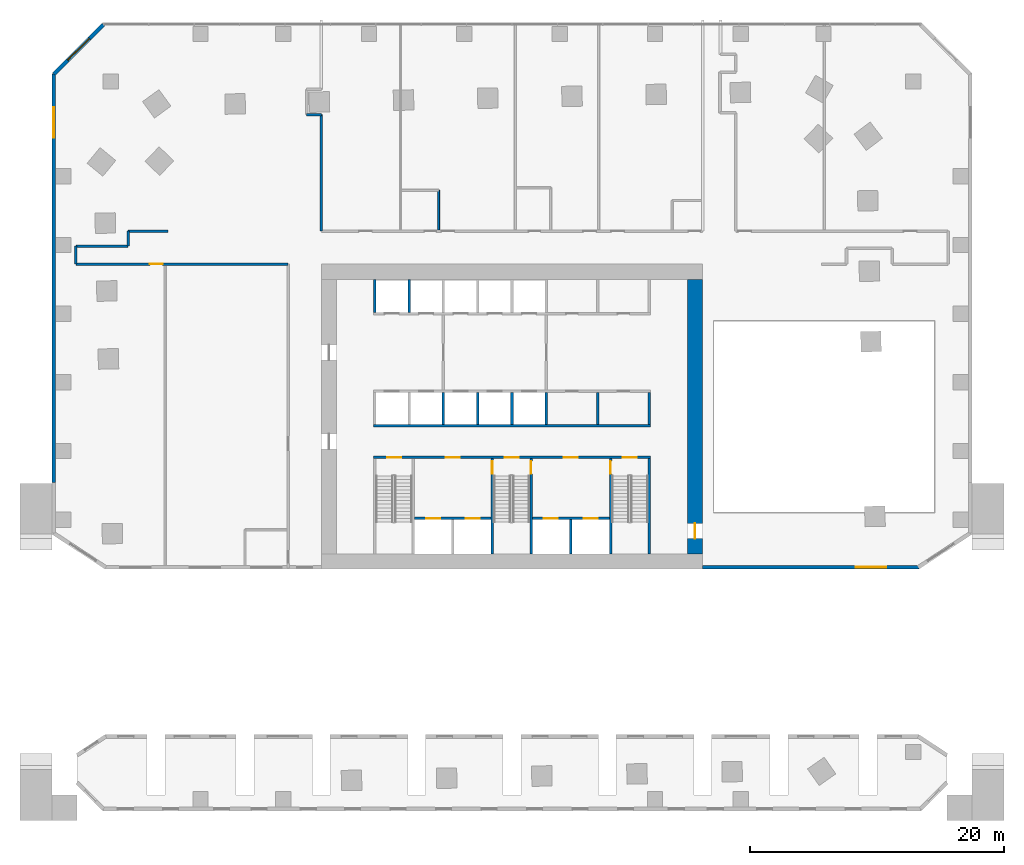
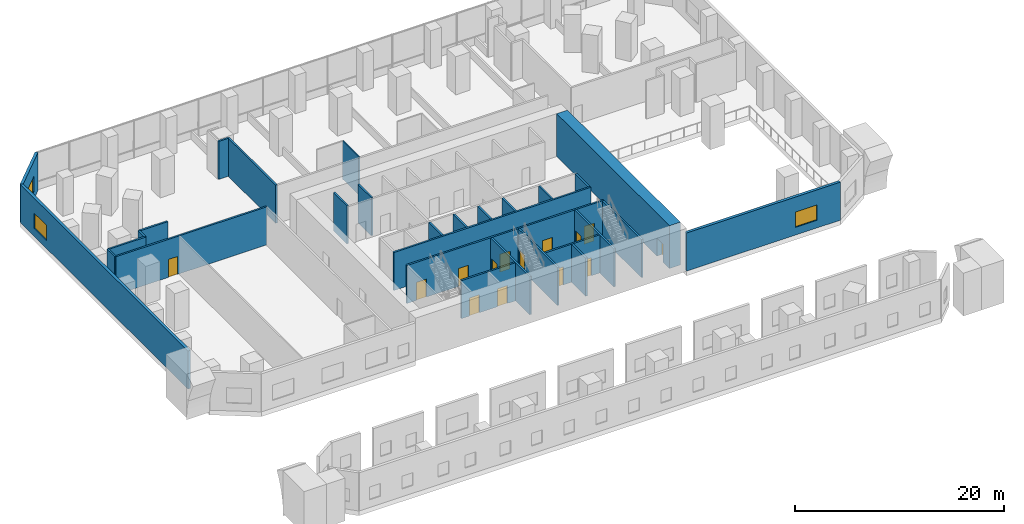
# One storey, part 7 of 12: 29 walls, 14 doors, 3 windows, 17 openings.
"""IFC4 building model written with IfcOpenShell, lengths in metres."""

from ifc_helpers import new_model, si_unit, direction, frame, frame_2d, origin, place, context, subcontext, project, spatial, rectangle, extrude, material, layer, layer_set, type_object, element, fill, save


model = new_model("IFC4")

# Units and contexts
model_context = context("Model", 3, precision=1e-05, world=origin(), true_north=direction((0.0, 1.0)))
body_context = subcontext(model_context, "Body", "Model", "MODEL_VIEW")
ifc_project = project(units=[si_unit("LENGTHUNIT", "METRE"), si_unit("AREAUNIT", "SQUARE_METRE"), si_unit("VOLUMEUNIT", "CUBIC_METRE"), si_unit("PLANEANGLEUNIT", "RADIAN"), si_unit("MASSUNIT", "GRAM", prefix="KILO")], contexts=[model_context])

# Site, building, storey
site_placement = place(None, origin())
site = spatial("IfcSite", under=ifc_project, at=site_placement, CompositionType="ELEMENT")
building_placement = place(site_placement, origin())
building = spatial("IfcBuilding", under=site, at=building_placement, Name="Mangrove Gate Tower", CompositionType="ELEMENT")
storey_placement = place(building_placement, frame((0.0, 0.0, 11.0)))
storey = spatial("IfcBuildingStorey", under=building, at=storey_placement, Name="L02", CompositionType="ELEMENT", Elevation=11.0)

# Walls
ifc_material_1 = material(Name="Concrete C32/40", Category="concrete")
ifc_layer_1 = layer(ifc_material_1, 0.199951171875)
ifc_layer_set_1 = layer_set([ifc_layer_1], Name="Core room wall 200 C32/40")
wall_type_1 = type_object("IfcWallType", Name="Core room wall 200 C32/40", PredefinedType="STANDARD", material=ifc_layer_set_1)
for number, where, z_axis, x_axis, name in (
    (1, (6.75, -0.60009765625, 0.0), (0.0, 0.0, 1.0), (0.0, 1.0, 0.0), "WALL-L02-CORE-25"),
    (2, (10.800048828125, -0.60009765625, 0.0), (0.0, 0.0, 1.0), (0.0, 1.0, 0.0), "WALL-L02-CORE-26"),
):
    element("IfcWall", number, at=place(storey_placement, frame(where, z_axis=z_axis, x_axis=x_axis)), inside=storey, type_object=wall_type_1, Name=name, PredefinedType="STANDARD", context=body_context, shape_type="SweptSolid", body=[
        extrude(rectangle(XDim=2.5, YDim=0.199951171875, at=frame_2d((1.25, 0.0))), origin(), (0.0, 0.0, 1.0), 4.449951171875),
    ])
ifc_material_2 = material(Name="Concrete C70/85", Category="concrete")
ifc_layer_2 = layer(ifc_material_2, 0.199951171875)
ifc_layer_set_2 = layer_set([ifc_layer_2], Name="Core shaft wall 200 C70/85")
wall_type_2 = type_object("IfcWallType", Name="Core shaft wall 200 C70/85", PredefinedType="SHEAR", material=ifc_layer_set_2)
wall_1_placement = place(storey_placement, frame((-10.89990234375, -0.699951171875, 0.0), z_axis=(0.0, 0.0, 1.0), x_axis=(1.0, 0.0, 0.0)))
element("IfcWall", 3, at=wall_1_placement, inside=storey, type_object=wall_type_2, Name="WALL-L02-CORE-6", PredefinedType="SHEAR", context=body_context, shape_type="SweptSolid", body=[
    extrude(rectangle(XDim=21.7998046875, YDim=0.199951171875, at=frame_2d((10.89990234375, 0.0))), origin(), (0.0, 0.0, 1.0), 4.449951171875),
])

# Wall, openings, doors
wall_2_placement = place(storey_placement, frame((-7.64990234375, -8.0, 0.0), z_axis=(0.0, 0.0, 1.0), x_axis=(1.0, 0.0, 0.0)))
wall_2 = element("IfcWall", 4, at=wall_2_placement, inside=storey, type_object=wall_type_2, Name="WALL-L02-CORE-15", PredefinedType="SHEAR", context=body_context, shape_type="SweptSolid", body=[
    extrude(rectangle(XDim=6.0, YDim=0.199951171875, at=frame_2d((3.0, 0.0))), origin(), (0.0, 0.0, 1.0), 4.449951171875),
])
opening_1_placement = place(wall_2_placement, frame((0.89990234375, 0.0, 0.0)))
opening_1 = element("IfcOpeningElement", 5, at=opening_1_placement, cuts=wall_2, Name="Opening LD", PredefinedType="OPENING", context=body_context, shape_type="SweptSolid", body=[
    extrude(rectangle(XDim=1.10009765625, YDim=2.10009765625, at=frame_2d((0.550048828125, 1.050048828125))), frame((0.0, 0.10986328125, 0.0), z_axis=(0.0, -1.0, 0.0), x_axis=(1.0, 0.0, 0.0)), (0.0, 0.0, 1.0), 0.219970703125),
])
opening_2_placement = place(wall_2_placement, frame((4.0, 0.0, 0.0)))
opening_2 = element("IfcOpeningElement", 6, at=opening_2_placement, cuts=wall_2, Name="Opening LD", PredefinedType="OPENING", context=body_context, shape_type="SweptSolid", body=[
    extrude(rectangle(XDim=1.10009765625, YDim=2.10009765625, at=frame_2d((0.550048828125, 1.050048828125))), frame((0.0, 0.10986328125, 0.0), z_axis=(0.0, -1.0, 0.0), x_axis=(1.0, 0.0, 0.0)), (0.0, 0.0, 1.0), 0.219970703125),
])
ifc_material_3 = material(Name="Stainless steel 316", Category="steel")
door_type_1 = type_object("IfcDoorType", Name="Lift landing door 1100x2100", OperationType="SLIDING_TO_LEFT", PredefinedType="DOOR", material=ifc_material_3)
door_1_placement = place(opening_1_placement, origin())
door_1 = element("IfcDoor", 7, at=door_1_placement, inside=storey, type_object=door_type_1, Name="Landing door LD SVL1", OperationType="SLIDING_TO_LEFT", OverallHeight=2.10009765625, OverallWidth=1.10009765625, PredefinedType="DOOR", context=body_context, shape_type="SweptSolid", body=[
    extrude(rectangle(XDim=1.10009765625, YDim=2.10009765625, at=frame_2d((0.550048828125, 1.050048828125))), frame((0.0, 0.02490234375, 0.0), z_axis=(0.0, -1.0, 0.0), x_axis=(1.0, 0.0, 0.0)), (0.0, 0.0, 1.0), 0.050048828125),
])
fill(opening_1, door_1)
door_2_placement = place(opening_2_placement, origin())
door_2 = element("IfcDoor", 8, at=door_2_placement, inside=storey, type_object=door_type_1, Name="Landing door LD SVL2", OperationType="SLIDING_TO_LEFT", OverallHeight=2.10009765625, OverallWidth=1.10009765625, PredefinedType="DOOR", context=body_context, shape_type="SweptSolid", body=[
    extrude(rectangle(XDim=1.10009765625, YDim=2.10009765625, at=frame_2d((0.550048828125, 1.050048828125))), frame((0.0, 0.02490234375, 0.0), z_axis=(0.0, -1.0, 0.0), x_axis=(1.0, 0.0, 0.0)), (0.0, 0.0, 1.0), 0.050048828125),
])
fill(opening_2, door_2)

wall_3_placement = place(storey_placement, frame((1.60009765625, -8.0, 0.0), z_axis=(0.0, 0.0, 1.0), x_axis=(1.0, 0.0, 0.0)))
wall_3 = element("IfcWall", 9, at=wall_3_placement, inside=storey, type_object=wall_type_2, Name="WALL-L02-CORE-17", PredefinedType="SHEAR", context=body_context, shape_type="SweptSolid", body=[
    extrude(rectangle(XDim=6.0498046875, YDim=0.199951171875, at=frame_2d((3.02490234375, 0.0))), origin(), (0.0, 0.0, 1.0), 4.449951171875),
])
opening_3_placement = place(wall_3_placement, frame((0.91259765625, 0.0, 0.0)))
opening_3 = element("IfcOpeningElement", 10, at=opening_3_placement, cuts=wall_3, Name="Opening LD", PredefinedType="OPENING", context=body_context, shape_type="SweptSolid", body=[
    extrude(rectangle(XDim=1.10009765625, YDim=2.10009765625, at=frame_2d((0.550048828125, 1.050048828125))), frame((0.0, 0.10986328125, 0.0), z_axis=(0.0, -1.0, 0.0), x_axis=(1.0, 0.0, 0.0)), (0.0, 0.0, 1.0), 0.219970703125),
])
opening_4_placement = place(wall_3_placement, frame((4.03759765625, 0.0, 0.0)))
opening_4 = element("IfcOpeningElement", 11, at=opening_4_placement, cuts=wall_3, Name="Opening LD", PredefinedType="OPENING", context=body_context, shape_type="SweptSolid", body=[
    extrude(rectangle(XDim=1.10009765625, YDim=2.10009765625, at=frame_2d((0.550048828125, 1.050048828125))), frame((0.0, 0.10986328125, 0.0), z_axis=(0.0, -1.0, 0.0), x_axis=(1.0, 0.0, 0.0)), (0.0, 0.0, 1.0), 0.219970703125),
])
door_3_placement = place(opening_3_placement, origin())
door_3 = element("IfcDoor", 12, at=door_3_placement, inside=storey, type_object=door_type_1, Name="Landing door LD FFL1", OperationType="SLIDING_TO_LEFT", OverallHeight=2.10009765625, OverallWidth=1.10009765625, PredefinedType="DOOR", context=body_context, shape_type="SweptSolid", body=[
    extrude(rectangle(XDim=1.10009765625, YDim=2.10009765625, at=frame_2d((0.550048828125, 1.050048828125))), frame((0.0, 0.02490234375, 0.0), z_axis=(0.0, -1.0, 0.0), x_axis=(1.0, 0.0, 0.0)), (0.0, 0.0, 1.0), 0.050048828125),
])
fill(opening_3, door_3)
door_4_placement = place(opening_4_placement, origin())
door_4 = element("IfcDoor", 13, at=door_4_placement, inside=storey, type_object=door_type_1, Name="Landing door LD FFL2", OperationType="SLIDING_TO_LEFT", OverallHeight=2.10009765625, OverallWidth=1.10009765625, PredefinedType="DOOR", context=body_context, shape_type="SweptSolid", body=[
    extrude(rectangle(XDim=1.10009765625, YDim=2.10009765625, at=frame_2d((0.550048828125, 1.050048828125))), frame((0.0, 0.02490234375, 0.0), z_axis=(0.0, -1.0, 0.0), x_axis=(1.0, 0.0, 0.0)), (0.0, 0.0, 1.0), 0.050048828125),
])
fill(opening_4, door_4)

# Walls
wall_4_placement = place(storey_placement, frame((4.625, -10.800048828125, 0.0), z_axis=(0.0, 0.0, 1.0), x_axis=(0.0, 1.0, 0.0)))
element("IfcWall", 14, at=wall_4_placement, inside=storey, type_object=wall_type_2, Name="WALL-L02-CORE-18", PredefinedType="SHEAR", context=body_context, shape_type="SweptSolid", body=[
    extrude(rectangle(XDim=2.699951171875, YDim=0.199951171875, at=frame_2d((1.35009765625, 0.0))), origin(), (0.0, 0.0, 1.0), 4.449951171875),
])
for number, where, z_axis, x_axis, name in (
    (15, (-5.39990234375, -0.60009765625, 0.0), (0.0, 0.0, 1.0), (0.0, 1.0, 0.0), "WALL-L02-CORE-21"),
    (16, (-2.699951171875, -0.60009765625, 0.0), (0.0, 0.0, 1.0), (0.0, 1.0, 0.0), "WALL-L02-CORE-22"),
    (17, (0.0, -0.60009765625, 0.0), (0.0, 0.0, 1.0), (0.0, 1.0, 0.0), "WALL-L02-CORE-23"),
    (18, (2.699951171875, -0.60009765625, 0.0), (0.0, 0.0, 1.0), (0.0, 1.0, 0.0), "WALL-L02-CORE-24"),
):
    element("IfcWall", number, at=place(storey_placement, frame(where, z_axis=z_axis, x_axis=x_axis)), inside=storey, type_object=wall_type_2, Name=name, PredefinedType="SHEAR", context=body_context, shape_type="SweptSolid", body=[
        extrude(rectangle(XDim=2.5, YDim=0.199951171875, at=frame_2d((1.25, 0.0))), origin(), (0.0, 0.0, 1.0), 4.449951171875),
    ])
for number, where, z_axis, x_axis, name in (
    (19, (-10.800048828125, 8.199951171875, 0.0), (0.0, 0.0, 1.0), (0.0, 1.0, 0.0), "WALL-L02-CORE-27"),
    (20, (-8.10009765625, 8.199951171875, 0.0), (0.0, 0.0, 1.0), (0.0, 1.0, 0.0), "WALL-L02-CORE-28"),
):
    element("IfcWall", number, at=place(storey_placement, frame(where, z_axis=z_axis, x_axis=x_axis)), inside=storey, type_object=wall_type_2, Name=name, PredefinedType="SHEAR", context=body_context, shape_type="SweptSolid", body=[
        extrude(rectangle(XDim=2.60009765625, YDim=0.199951171875, at=frame_2d((1.300048828125, 0.0))), origin(), (0.0, 0.0, 1.0), 4.449951171875),
    ])

# Wall, openings, doors
ifc_material_4 = material(Name="Concrete C70/85", Category="concrete")
ifc_layer_3 = layer(ifc_material_4, 0.199951171875)
ifc_layer_set_3 = layer_set([ifc_layer_3], Name="Core stair wall 200 C70/85")
wall_type_3 = type_object("IfcWallType", Name="Core stair wall 200 C70/85", PredefinedType="SHEAR", material=ifc_layer_set_3)
wall_5_placement = place(storey_placement, frame((-10.89990234375, -3.199951171875, 0.0), z_axis=(0.0, 0.0, 1.0), x_axis=(1.0, 0.0, 0.0)))
wall_5 = element("IfcWall", 21, at=wall_5_placement, inside=storey, type_object=wall_type_3, Name="WALL-L02-CORE-5", PredefinedType="SHEAR", context=body_context, shape_type="SweptSolid", body=[
    extrude(rectangle(XDim=21.7998046875, YDim=0.199951171875, at=frame_2d((10.89990234375, 0.0))), origin(), (0.0, 0.0, 1.0), 4.449951171875),
])
opening_5_placement = place(wall_5_placement, frame((1.074951171875, 0.0, 0.0)))
opening_5 = element("IfcOpeningElement", 22, at=opening_5_placement, cuts=wall_5, Name="Opening STD11", PredefinedType="OPENING", context=body_context, shape_type="SweptSolid", body=[
    extrude(rectangle(XDim=1.10009765625, YDim=2.10009765625, at=frame_2d((0.550048828125, 1.050048828125))), frame((0.0, 0.10986328125, 0.0), z_axis=(0.0, -1.0, 0.0), x_axis=(1.0, 0.0, 0.0)), (0.0, 0.0, 1.0), 0.219970703125),
])
opening_6_placement = place(wall_5_placement, frame((10.324951171875, 0.0, 0.0)))
opening_6 = element("IfcOpeningElement", 23, at=opening_6_placement, cuts=wall_5, Name="Opening STD11", PredefinedType="OPENING", context=body_context, shape_type="SweptSolid", body=[
    extrude(rectangle(XDim=1.10009765625, YDim=2.10009765625, at=frame_2d((0.550048828125, 1.050048828125))), frame((0.0, 0.10986328125, 0.0), z_axis=(0.0, -1.0, 0.0), x_axis=(1.0, 0.0, 0.0)), (0.0, 0.0, 1.0), 0.219970703125),
])
opening_7_placement = place(wall_5_placement, frame((19.625, 0.0, 0.0)))
opening_7 = element("IfcOpeningElement", 24, at=opening_7_placement, cuts=wall_5, Name="Opening STD11", PredefinedType="OPENING", context=body_context, shape_type="SweptSolid", body=[
    extrude(rectangle(XDim=1.10009765625, YDim=2.10009765625, at=frame_2d((0.550048828125, 1.050048828125))), frame((0.0, 0.10986328125, 0.0), z_axis=(0.0, -1.0, 0.0), x_axis=(1.0, 0.0, 0.0)), (0.0, 0.0, 1.0), 0.219970703125),
])
opening_8_placement = place(wall_5_placement, frame((5.699951171875, 0.0, 0.0)))
opening_8 = element("IfcOpeningElement", 25, at=opening_8_placement, cuts=wall_5, Name="Opening FL", PredefinedType="OPENING", context=body_context, shape_type="SweptSolid", body=[
    extrude(rectangle(XDim=1.10009765625, YDim=2.10009765625, at=frame_2d((0.550048828125, 1.050048828125))), frame((0.0, 0.10986328125, 0.0), z_axis=(0.0, -1.0, 0.0), x_axis=(1.0, 0.0, 0.0)), (0.0, 0.0, 1.0), 0.219970703125),
])
opening_9_placement = place(wall_5_placement, frame((14.97509765625, 0.0, 0.0)))
opening_9 = element("IfcOpeningElement", 26, at=opening_9_placement, cuts=wall_5, Name="Opening FL", PredefinedType="OPENING", context=body_context, shape_type="SweptSolid", body=[
    extrude(rectangle(XDim=1.10009765625, YDim=2.10009765625, at=frame_2d((0.550048828125, 1.050048828125))), frame((0.0, 0.10986328125, 0.0), z_axis=(0.0, -1.0, 0.0), x_axis=(1.0, 0.0, 0.0)), (0.0, 0.0, 1.0), 0.219970703125),
])
ifc_material_5 = material(Name="Fire-rated steel door set", Category="steel")
door_type_2 = type_object("IfcDoorType", Name="Lobby door FD60 1100x2100", OperationType="SINGLE_SWING_LEFT", PredefinedType="DOOR", material=ifc_material_5)
door_5_placement = place(opening_8_placement, origin())
door_5 = element("IfcDoor", 27, at=door_5_placement, inside=storey, type_object=door_type_2, Name="Lobby door service lobby", OperationType="SINGLE_SWING_LEFT", OverallHeight=2.10009765625, OverallWidth=1.10009765625, PredefinedType="DOOR", context=body_context, shape_type="SweptSolid", body=[
    extrude(rectangle(XDim=1.10009765625, YDim=2.10009765625, at=frame_2d((0.550048828125, 1.050048828125))), frame((0.0, 0.02490234375, 0.0), z_axis=(0.0, -1.0, 0.0), x_axis=(1.0, 0.0, 0.0)), (0.0, 0.0, 1.0), 0.050048828125),
])
fill(opening_8, door_5)
door_6_placement = place(opening_9_placement, origin())
door_6 = element("IfcDoor", 28, at=door_6_placement, inside=storey, type_object=door_type_2, Name="Lobby door fire-fighting lobby", OperationType="SINGLE_SWING_LEFT", OverallHeight=2.10009765625, OverallWidth=1.10009765625, PredefinedType="DOOR", context=body_context, shape_type="SweptSolid", body=[
    extrude(rectangle(XDim=1.10009765625, YDim=2.10009765625, at=frame_2d((0.550048828125, 1.050048828125))), frame((0.0, 0.02490234375, 0.0), z_axis=(0.0, -1.0, 0.0), x_axis=(1.0, 0.0, 0.0)), (0.0, 0.0, 1.0), 0.050048828125),
])
fill(opening_9, door_6)
ifc_material_6 = material(Name="Fire-rated steel door set", Category="steel")
door_type_3 = type_object("IfcDoorType", Name="Stair door FD60 1100x2100", OperationType="SINGLE_SWING_RIGHT", PredefinedType="DOOR", material=ifc_material_6)
door_7_placement = place(opening_5_placement, origin())
door_7 = element("IfcDoor", 29, at=door_7_placement, inside=storey, type_object=door_type_3, Name="Stair door Stair 1", OperationType="SINGLE_SWING_RIGHT", OverallHeight=2.10009765625, OverallWidth=1.10009765625, PredefinedType="DOOR", context=body_context, shape_type="SweptSolid", body=[
    extrude(rectangle(XDim=1.10009765625, YDim=2.10009765625, at=frame_2d((0.550048828125, 1.050048828125))), frame((0.0, 0.02490234375, 0.0), z_axis=(0.0, -1.0, 0.0), x_axis=(1.0, 0.0, 0.0)), (0.0, 0.0, 1.0), 0.050048828125),
])
fill(opening_5, door_7)
door_8_placement = place(opening_6_placement, origin())
door_8 = element("IfcDoor", 30, at=door_8_placement, inside=storey, type_object=door_type_3, Name="Stair door Stair 2", OperationType="SINGLE_SWING_RIGHT", OverallHeight=2.10009765625, OverallWidth=1.10009765625, PredefinedType="DOOR", context=body_context, shape_type="SweptSolid", body=[
    extrude(rectangle(XDim=1.10009765625, YDim=2.10009765625, at=frame_2d((0.550048828125, 1.050048828125))), frame((0.0, 0.02490234375, 0.0), z_axis=(0.0, -1.0, 0.0), x_axis=(1.0, 0.0, 0.0)), (0.0, 0.0, 1.0), 0.050048828125),
])
fill(opening_6, door_8)
door_9_placement = place(opening_7_placement, origin())
door_9 = element("IfcDoor", 31, at=door_9_placement, inside=storey, type_object=door_type_3, Name="Stair door Stair 3", OperationType="SINGLE_SWING_RIGHT", OverallHeight=2.10009765625, OverallWidth=1.10009765625, PredefinedType="DOOR", context=body_context, shape_type="SweptSolid", body=[
    extrude(rectangle(XDim=1.10009765625, YDim=2.10009765625, at=frame_2d((0.550048828125, 1.050048828125))), frame((0.0, 0.02490234375, 0.0), z_axis=(0.0, -1.0, 0.0), x_axis=(1.0, 0.0, 0.0)), (0.0, 0.0, 1.0), 0.050048828125),
])
fill(opening_7, door_9)

# Wall, opening, door
wall_6_placement = place(storey_placement, frame((-1.550048828125, -10.800048828125, 0.0), z_axis=(0.0, 0.0, 1.0), x_axis=(0.0, 1.0, 0.0)))
wall_6 = element("IfcWall", 32, at=wall_6_placement, inside=storey, type_object=wall_type_3, Name="WALL-L02-CORE-11", PredefinedType="SHEAR", context=body_context, shape_type="SweptSolid", body=[
    extrude(rectangle(XDim=7.5, YDim=0.199951171875, at=frame_2d((3.75, 0.0))), origin(), (0.0, 0.0, 1.0), 4.449951171875),
])
opening_10_placement = place(wall_6_placement, frame((6.300048828125, 0.0, 0.0)))
opening_10 = element("IfcOpeningElement", 33, at=opening_10_placement, cuts=wall_6, Name="Opening STD10", PredefinedType="OPENING", context=body_context, shape_type="SweptSolid", body=[
    extrude(rectangle(XDim=1.0, YDim=2.10009765625, at=frame_2d((0.5, 1.050048828125))), frame((0.0, 0.10986328125, 0.0), z_axis=(0.0, -1.0, 0.0), x_axis=(1.0, 0.0, 0.0)), (0.0, 0.0, 1.0), 0.219970703125),
])
ifc_material_7 = material(Name="Fire-rated steel door set", Category="steel")
door_type_4 = type_object("IfcDoorType", Name="Stair door FD60 1000x2100", OperationType="SINGLE_SWING_RIGHT", PredefinedType="DOOR", material=ifc_material_7)
door_10_placement = place(opening_10_placement, origin())
door_10 = element("IfcDoor", 34, at=door_10_placement, inside=storey, type_object=door_type_4, Name="Stair door Stair 2 from service lobby", OperationType="SINGLE_SWING_RIGHT", OverallHeight=2.10009765625, OverallWidth=1.0, PredefinedType="DOOR", context=body_context, shape_type="SweptSolid", body=[
    extrude(rectangle(XDim=1.0, YDim=2.10009765625, at=frame_2d((0.5, 1.050048828125))), frame((0.0, 0.02490234375, 0.0), z_axis=(0.0, -1.0, 0.0), x_axis=(1.0, 0.0, 0.0)), (0.0, 0.0, 1.0), 0.050048828125),
])
fill(opening_10, door_10)

wall_7_placement = place(storey_placement, frame((1.5, -10.800048828125, 0.0), z_axis=(0.0, 0.0, 1.0), x_axis=(0.0, 1.0, 0.0)))
wall_7 = element("IfcWall", 35, at=wall_7_placement, inside=storey, type_object=wall_type_3, Name="WALL-L02-CORE-12", PredefinedType="SHEAR", context=body_context, shape_type="SweptSolid", body=[
    extrude(rectangle(XDim=7.5, YDim=0.199951171875, at=frame_2d((3.75, 0.0))), origin(), (0.0, 0.0, 1.0), 4.449951171875),
])
opening_11_placement = place(wall_7_placement, frame((6.300048828125, 0.0, 0.0)))
opening_11 = element("IfcOpeningElement", 36, at=opening_11_placement, cuts=wall_7, Name="Opening STD10", PredefinedType="OPENING", context=body_context, shape_type="SweptSolid", body=[
    extrude(rectangle(XDim=1.0, YDim=2.10009765625, at=frame_2d((0.5, 1.050048828125))), frame((0.0, 0.10986328125, 0.0), z_axis=(0.0, -1.0, 0.0), x_axis=(1.0, 0.0, 0.0)), (0.0, 0.0, 1.0), 0.219970703125),
])
door_11_placement = place(opening_11_placement, origin())
door_11 = element("IfcDoor", 37, at=door_11_placement, inside=storey, type_object=door_type_4, Name="Stair door Stair 2 from fire-fighting lobby", OperationType="SINGLE_SWING_RIGHT", OverallHeight=2.10009765625, OverallWidth=1.0, PredefinedType="DOOR", context=body_context, shape_type="SweptSolid", body=[
    extrude(rectangle(XDim=1.0, YDim=2.10009765625, at=frame_2d((0.5, 1.050048828125))), frame((0.0, 0.02490234375, 0.0), z_axis=(0.0, -1.0, 0.0), x_axis=(1.0, 0.0, 0.0)), (0.0, 0.0, 1.0), 0.050048828125),
])
fill(opening_11, door_11)

wall_8_placement = place(storey_placement, frame((7.75, -10.800048828125, 0.0), z_axis=(0.0, 0.0, 1.0), x_axis=(0.0, 1.0, 0.0)))
wall_8 = element("IfcWall", 38, at=wall_8_placement, inside=storey, type_object=wall_type_3, Name="WALL-L02-CORE-13", PredefinedType="SHEAR", context=body_context, shape_type="SweptSolid", body=[
    extrude(rectangle(XDim=7.5, YDim=0.199951171875, at=frame_2d((3.75, 0.0))), origin(), (0.0, 0.0, 1.0), 4.449951171875),
])
opening_12_placement = place(wall_8_placement, frame((6.300048828125, 0.0, 0.0)))
opening_12 = element("IfcOpeningElement", 39, at=opening_12_placement, cuts=wall_8, Name="Opening STD10", PredefinedType="OPENING", context=body_context, shape_type="SweptSolid", body=[
    extrude(rectangle(XDim=1.0, YDim=2.10009765625, at=frame_2d((0.5, 1.050048828125))), frame((0.0, 0.10986328125, 0.0), z_axis=(0.0, -1.0, 0.0), x_axis=(1.0, 0.0, 0.0)), (0.0, 0.0, 1.0), 0.219970703125),
])
door_12_placement = place(opening_12_placement, origin())
door_12 = element("IfcDoor", 40, at=door_12_placement, inside=storey, type_object=door_type_4, Name="Stair door Stair 3 from fire-fighting lobby", OperationType="SINGLE_SWING_RIGHT", OverallHeight=2.10009765625, OverallWidth=1.0, PredefinedType="DOOR", context=body_context, shape_type="SweptSolid", body=[
    extrude(rectangle(XDim=1.0, YDim=2.10009765625, at=frame_2d((0.5, 1.050048828125))), frame((0.0, 0.02490234375, 0.0), z_axis=(0.0, -1.0, 0.0), x_axis=(1.0, 0.0, 0.0)), (0.0, 0.0, 1.0), 0.050048828125),
])
fill(opening_12, door_12)

# Wall
wall_9_placement = place(storey_placement, frame((10.800048828125, -10.800048828125, 0.0), z_axis=(0.0, 0.0, 1.0), x_axis=(0.0, 1.0, 0.0)))
element("IfcWall", 41, at=wall_9_placement, inside=storey, type_object=wall_type_3, Name="WALL-L02-CORE-14", PredefinedType="SHEAR", context=body_context, shape_type="SweptSolid", body=[
    extrude(rectangle(XDim=7.5, YDim=0.199951171875, at=frame_2d((3.75, 0.0))), origin(), (0.0, 0.0, 1.0), 4.449951171875),
])

# Wall, opening, door
ifc_material_8 = material(Name="Concrete C70/85", Category="concrete")
ifc_layer_4 = layer(ifc_material_8, 1.199951171875)
ifc_layer_set_4 = layer_set([ifc_layer_4], Name="Core wall 1200 C70/85")
wall_type_4 = type_object("IfcWallType", Name="Core wall 1200 C70/85", PredefinedType="SHEAR", material=ifc_layer_set_4)
wall_10_placement = place(storey_placement, frame((14.39990234375, -10.800048828125, 0.0), z_axis=(0.0, 0.0, 1.0), x_axis=(0.0, 1.0, 0.0)))
wall_10 = element("IfcWall", 42, at=wall_10_placement, inside=storey, type_object=wall_type_4, Name="WALL-L02-CORE-4", PredefinedType="SHEAR", context=body_context, shape_type="SweptSolid", body=[
    extrude(rectangle(XDim=21.60009765625, YDim=1.199951171875, at=frame_2d((10.800048828125, 0.0))), origin(), (0.0, 0.0, 1.0), 5.0),
])
opening_13_placement = place(wall_10_placement, frame((1.199951171875, 0.0, 0.0)))
opening_13 = element("IfcOpeningElement", 43, at=opening_13_placement, cuts=wall_10, Name="Opening CD", PredefinedType="OPENING", context=body_context, shape_type="SweptSolid", body=[
    extrude(rectangle(XDim=1.199951171875, YDim=2.10009765625, at=frame_2d((0.60009765625, 1.050048828125))), frame((0.0, 0.60986328125, 0.0), z_axis=(0.0, -1.0, 0.0), x_axis=(1.0, 0.0, 0.0)), (0.0, 0.0, 1.0), 1.219970703125),
])
ifc_material_9 = material(Name="Fire-rated steel door set", Category="steel")
door_type_5 = type_object("IfcDoorType", Name="Core ring door FD60 1200x2100", OperationType="DOUBLE_DOOR_SINGLE_SWING", PredefinedType="DOOR", material=ifc_material_9)
door_13_placement = place(opening_13_placement, origin())
door_13 = element("IfcDoor", 44, at=door_13_placement, inside=storey, type_object=door_type_5, Name="Core ring door E1", OperationType="DOUBLE_DOOR_SINGLE_SWING", OverallHeight=2.10009765625, OverallWidth=1.199951171875, PredefinedType="DOOR", context=body_context, shape_type="SweptSolid", body=[
    extrude(rectangle(XDim=1.199951171875, YDim=2.10009765625, at=frame_2d((0.60009765625, 1.050048828125))), frame((0.0, 0.02490234375, 0.0), z_axis=(0.0, -1.0, 0.0), x_axis=(1.0, 0.0, 0.0)), (0.0, 0.0, 1.0), 0.050048828125),
])
fill(opening_13, door_13)

ifc_material_10 = material(Name="Gypsum board on steel stud, EI 60", Category="steel")
ifc_layer_5 = layer(ifc_material_10, 0.199951171875)
ifc_layer_set_5 = layer_set([ifc_layer_5], Name="Corridor wall EI 60")
wall_type_5 = type_object("IfcWallType", Name="Corridor wall EI 60", PredefinedType="PARTITIONING", material=ifc_layer_set_5)
wall_11_placement = place(storey_placement, frame((-34.300048828125, 12.0, 0.0), z_axis=(0.0, 0.0, 1.0), x_axis=(1.0, 0.0, 0.0)))
wall_11 = element("IfcWall", 45, at=wall_11_placement, inside=storey, type_object=wall_type_5, Name="WALL-L02-005", PredefinedType="PARTITIONING", context=body_context, shape_type="SweptSolid", body=[
    extrude(rectangle(XDim=16.699951171875, YDim=0.199951171875, at=frame_2d((8.35009765625, 0.0))), origin(), (0.0, 0.0, 1.0), 4.449951171875),
])
opening_14_placement = place(wall_11_placement, frame((5.820068359375, 0.0, 0.0)))
opening_14 = element("IfcOpeningElement", 46, at=opening_14_placement, cuts=wall_11, Name="Opening AD", PredefinedType="OPENING", context=body_context, shape_type="SweptSolid", body=[
    extrude(rectangle(XDim=1.0, YDim=2.10009765625, at=frame_2d((0.5, 1.050048828125))), frame((0.0, 0.10986328125, 0.0), z_axis=(0.0, -1.0, 0.0), x_axis=(1.0, 0.0, 0.0)), (0.0, 0.0, 1.0), 0.219970703125),
])
ifc_material_11 = material(Name="Timber door leaf", Category="wood")
door_type_6 = type_object("IfcDoorType", Name="Amenity door 1000", OperationType="SINGLE_SWING_LEFT", PredefinedType="DOOR", material=ifc_material_11)
door_14_placement = place(opening_14_placement, origin())
door_14 = element("IfcDoor", 47, at=door_14_placement, inside=storey, type_object=door_type_6, Name="DOOR-L02-POD-02", OperationType="SINGLE_SWING_RIGHT", OverallHeight=2.10009765625, OverallWidth=1.0, PredefinedType="DOOR", context=body_context, shape_type="SweptSolid", body=[
    extrude(rectangle(XDim=1.0, YDim=2.10009765625, at=frame_2d((0.5, 1.050048828125))), frame((0.0, 0.02490234375, 0.0), z_axis=(0.0, -1.0, 0.0), x_axis=(1.0, 0.0, 0.0)), (0.0, 0.0, 1.0), 0.050048828125),
])
fill(opening_14, door_14)

# Walls
wall_12_placement = place(storey_placement, frame((-34.300048828125, 12.0, 0.0), z_axis=(0.0, 0.0, 1.0), x_axis=(0.0, 1.0, 0.0)))
element("IfcWall", 48, at=wall_12_placement, inside=storey, type_object=wall_type_5, Name="WALL-L02-006", PredefinedType="PARTITIONING", context=body_context, shape_type="SweptSolid", body=[
    extrude(rectangle(XDim=1.423095703125, YDim=0.199951171875, at=frame_2d((0.71142578125, 0.0))), origin(), (0.0, 0.0, 1.0), 4.449951171875),
])
wall_13_placement = place(storey_placement, frame((-34.300048828125, 13.419921875, 0.0), z_axis=(0.0, 0.0, 1.0), x_axis=(1.0, 0.0, 0.0)))
element("IfcWall", 49, at=wall_13_placement, inside=storey, type_object=wall_type_5, Name="WALL-L02-013", PredefinedType="PARTITIONING", context=body_context, shape_type="SweptSolid", body=[
    extrude(rectangle(XDim=4.110107421875, YDim=0.199951171875, at=frame_2d((2.05517578125, 0.0))), origin(), (0.0, 0.0, 1.0), 4.449951171875),
])
wall_14_placement = place(storey_placement, frame((-30.18994140625, 13.423095703125, 0.0), z_axis=(0.0, 0.0, 1.0), x_axis=(0.0, 1.0, 0.0)))
element("IfcWall", 50, at=wall_14_placement, inside=storey, type_object=wall_type_5, Name="WALL-L02-014", PredefinedType="PARTITIONING", context=body_context, shape_type="SweptSolid", body=[
    extrude(rectangle(XDim=1.177001953125, YDim=0.199951171875, at=frame_2d((0.58837890625, 0.0))), origin(), (0.0, 0.0, 1.0), 4.449951171875),
])
wall_15_placement = place(storey_placement, frame((-30.18994140625, 14.60009765625, 0.0), z_axis=(0.0, 0.0, 1.0), x_axis=(1.0, 0.0, 0.0)))
element("IfcWall", 51, at=wall_15_placement, inside=storey, type_object=wall_type_5, Name="WALL-L02-015", PredefinedType="PARTITIONING", context=body_context, shape_type="SweptSolid", body=[
    extrude(rectangle(XDim=3.114013671875, YDim=0.199951171875, at=frame_2d((1.55712890625, 0.0))), origin(), (0.0, 0.0, 1.0), 4.449951171875),
])
wall_16_placement = place(storey_placement, frame((-15.0, 14.60009765625, 0.0), z_axis=(0.0, 0.0, 1.0), x_axis=(0.0, 1.0, 0.0)))
element("IfcWall", 52, at=wall_16_placement, inside=storey, type_object=wall_type_5, Name="WALL-L02-017", PredefinedType="PARTITIONING", context=body_context, shape_type="SweptSolid", body=[
    extrude(rectangle(XDim=9.14892578125, YDim=0.199951171875, at=frame_2d((4.574462890625, 0.0))), origin(), (0.0, 0.0, 1.0), 4.449951171875),
])
wall_17_placement = place(storey_placement, frame((-16.153076171875, 23.75, 0.0), z_axis=(0.0, 0.0, 1.0), x_axis=(1.0, 0.0, 0.0)))
element("IfcWall", 53, at=wall_17_placement, inside=storey, type_object=wall_type_5, Name="WALL-L02-032", PredefinedType="PARTITIONING", context=body_context, shape_type="SweptSolid", body=[
    extrude(rectangle(XDim=1.153076171875, YDim=0.199951171875, at=frame_2d((0.57666015625, 0.0))), origin(), (0.0, 0.0, 1.0), 4.449951171875),
])

# Wall, opening, window
ifc_material_12 = material(Name="Limestone", Category="masonry")
ifc_layer_6 = layer(ifc_material_12, 0.0400390625, Name="Limestone cladding")
ifc_material_13 = material(Name="Ventilated air gap")
ifc_layer_7 = layer(ifc_material_13, 0.0400390625, Name="Ventilated cavity")
ifc_material_14 = material(Name="Mineral wool insulation")
ifc_layer_8 = layer(ifc_material_14, 0.06005859375, Name="Insulation")
ifc_material_15 = material(Name="Breather membrane")
ifc_layer_9 = layer(ifc_material_15, 0.001953125, Name="Breather membrane")
ifc_material_16 = material(Name="Concrete C20/25 blockwork", Category="masonry")
ifc_layer_10 = layer(ifc_material_16, 0.14990234375, Name="Blockwork backing wall")
ifc_material_17 = material(Name="Gypsum plaster")
ifc_layer_11 = layer(ifc_material_17, 0.008056640625, Name="Internal plaster")
ifc_layer_set_6 = layer_set([ifc_layer_6, ifc_layer_7, ifc_layer_8, ifc_layer_9, ifc_layer_10, ifc_layer_11], Name="External wall 300 limestone cladding")
wall_type_6 = type_object("IfcWallType", Name="External wall 300 limestone cladding", PredefinedType="SOLIDWALL", material=ifc_layer_set_6)
wall_18_placement = place(storey_placement, frame((15.0, -11.85009765625, 0.0), z_axis=(0.0, 0.0, 1.0), x_axis=(1.0, 0.0, 0.0)))
wall_18 = element("IfcWall", 54, at=wall_18_placement, inside=storey, type_object=wall_type_6, Name="WALL-L02-S8", PredefinedType="SOLIDWALL", context=body_context, shape_type="SweptSolid", body=[
    extrude(rectangle(XDim=17.0, YDim=0.300048828125, at=frame_2d((8.5, 0.0))), origin(), (0.0, 0.0, 1.0), 4.449951171875),
])
opening_15_placement = place(wall_18_placement, frame((12.031005859375, 0.0, 0.89990234375)))
opening_15 = element("IfcOpeningElement", 55, at=opening_15_placement, cuts=wall_18, Name="Opening W3", PredefinedType="OPENING", context=body_context, shape_type="SweptSolid", body=[
    extrude(rectangle(XDim=2.39990234375, YDim=1.800048828125, at=frame_2d((1.199951171875, 0.89990234375))), frame((0.0, 0.159912109375, 0.0), z_axis=(0.0, -1.0, 0.0), x_axis=(1.0, 0.0, 0.0)), (0.0, 0.0, 1.0), 0.320068359375),
])
ifc_material_18 = material(Name="Aluminium frame with double-glazed low-e glass", Category="aluminium")
window_type = type_object("IfcWindowType", Name="Podium window 2400x1800", PartitioningType="DOUBLE_PANEL_VERTICAL", PredefinedType="WINDOW", material=ifc_material_18)
window_1_placement = place(opening_15_placement, origin())
window_1 = element("IfcWindow", 56, at=window_1_placement, inside=storey, type_object=window_type, Name="WIN-L02-S8-1", OverallHeight=1.800048828125, OverallWidth=2.39990234375, PartitioningType="DOUBLE_PANEL_VERTICAL", PredefinedType="WINDOW", context=body_context, shape_type="SweptSolid", body=[
    extrude(rectangle(XDim=2.39990234375, YDim=1.800048828125, at=frame_2d((1.199951171875, 0.89990234375))), frame((0.0, 0.030029296875, 0.0), z_axis=(0.0, -1.0, 0.0), x_axis=(1.0, 0.0, 0.0)), (0.0, 0.0, 1.0), 0.06005859375),
])
fill(opening_15, window_1)

wall_19_placement = place(storey_placement, frame((-32.137939453125, 30.85009765625, 0.0), z_axis=(0.0, 0.0, 1.0), x_axis=(-0.707106781187, -0.707106781187, 0.0)))
wall_19 = element("IfcWall", 57, at=wall_19_placement, inside=storey, type_object=wall_type_6, Name="WALL-L02-N13", PredefinedType="SOLIDWALL", context=body_context, shape_type="SweptSolid", body=[
    extrude(rectangle(XDim=5.532470703125, YDim=0.300048828125, at=frame_2d((2.76611328125, 0.0))), origin(), (0.0, 0.0, 1.0), 4.449951171875),
])
opening_16_placement = place(wall_19_placement, frame((1.56591796875, 0.0, 0.89990234375)))
opening_16 = element("IfcOpeningElement", 58, at=opening_16_placement, cuts=wall_19, Name="Opening W3", PredefinedType="OPENING", context=body_context, shape_type="SweptSolid", body=[
    extrude(rectangle(XDim=2.39990234375, YDim=1.800048828125, at=frame_2d((1.199951171875, 0.89990234375))), frame((0.0, 0.159912109375, 0.0), z_axis=(0.0, -1.0, 0.0), x_axis=(1.0, 0.0, 0.0)), (0.0, 0.0, 1.0), 0.320068359375),
])
window_2_placement = place(opening_16_placement, origin())
window_2 = element("IfcWindow", 59, at=window_2_placement, inside=storey, type_object=window_type, Name="WIN-L02-N13-1", OverallHeight=1.800048828125, OverallWidth=2.39990234375, PartitioningType="DOUBLE_PANEL_VERTICAL", PredefinedType="WINDOW", context=body_context, shape_type="SweptSolid", body=[
    extrude(rectangle(XDim=2.39990234375, YDim=1.800048828125, at=frame_2d((1.199951171875, 0.89990234375))), frame((0.0, 0.030029296875, 0.0), z_axis=(0.0, -1.0, 0.0), x_axis=(1.0, 0.0, 0.0)), (0.0, 0.0, 1.0), 0.06005859375),
])
fill(opening_16, window_2)

wall_20_placement = place(storey_placement, frame((-36.050048828125, 26.93798828125, 0.0), z_axis=(0.0, 0.0, 1.0), x_axis=(0.0, -1.0, 0.0)))
wall_20 = element("IfcWall", 60, at=wall_20_placement, inside=storey, type_object=wall_type_6, Name="WALL-L02-W14", PredefinedType="SOLIDWALL", context=body_context, shape_type="SweptSolid", body=[
    extrude(rectangle(XDim=32.123046875, YDim=0.300048828125, at=frame_2d((16.0615234375, 0.0))), origin(), (0.0, 0.0, 1.0), 4.449951171875),
])
opening_17_placement = place(wall_20_placement, frame((2.587890625, 0.0, 0.89990234375)))
opening_17 = element("IfcOpeningElement", 61, at=opening_17_placement, cuts=wall_20, Name="Opening W3", PredefinedType="OPENING", context=body_context, shape_type="SweptSolid", body=[
    extrude(rectangle(XDim=2.39990234375, YDim=1.800048828125, at=frame_2d((1.199951171875, 0.89990234375))), frame((0.0, 0.159912109375, 0.0), z_axis=(0.0, -1.0, 0.0), x_axis=(1.0, 0.0, 0.0)), (0.0, 0.0, 1.0), 0.320068359375),
])
window_3_placement = place(opening_17_placement, origin())
window_3 = element("IfcWindow", 62, at=window_3_placement, inside=storey, type_object=window_type, Name="WIN-L02-W14-1", OverallHeight=1.800048828125, OverallWidth=2.39990234375, PartitioningType="DOUBLE_PANEL_VERTICAL", PredefinedType="WINDOW", context=body_context, shape_type="SweptSolid", body=[
    extrude(rectangle(XDim=2.39990234375, YDim=1.800048828125, at=frame_2d((1.199951171875, 0.89990234375))), frame((0.0, 0.030029296875, 0.0), z_axis=(0.0, -1.0, 0.0), x_axis=(1.0, 0.0, 0.0)), (0.0, 0.0, 1.0), 0.06005859375),
])
fill(opening_17, window_3)

# Wall
ifc_material_19 = material(Name="Gypsum board on steel stud, EI 60", Category="steel")
ifc_layer_12 = layer(ifc_material_19, 0.14990234375)
ifc_layer_set_7 = layer_set([ifc_layer_12], Name="Party wall 150 EI 60")
wall_type_7 = type_object("IfcWallType", Name="Party wall 150 EI 60", PredefinedType="PARTITIONING", material=ifc_layer_set_7)
wall_21_placement = place(storey_placement, frame((-5.77001953125, 14.699951171875, 0.0), z_axis=(0.0, 0.0, 1.0), x_axis=(0.0, 1.0, 0.0)))
element("IfcWall", 63, at=wall_21_placement, inside=storey, type_object=wall_type_7, Name="WALL-L02-019", PredefinedType="PARTITIONING", context=body_context, shape_type="SweptSolid", body=[
    extrude(rectangle(XDim=3.10009765625, YDim=0.14990234375, at=frame_2d((1.550048828125, 0.0))), origin(), (0.0, 0.0, 1.0), 4.449951171875),
])

save(model, "model.ifc")
